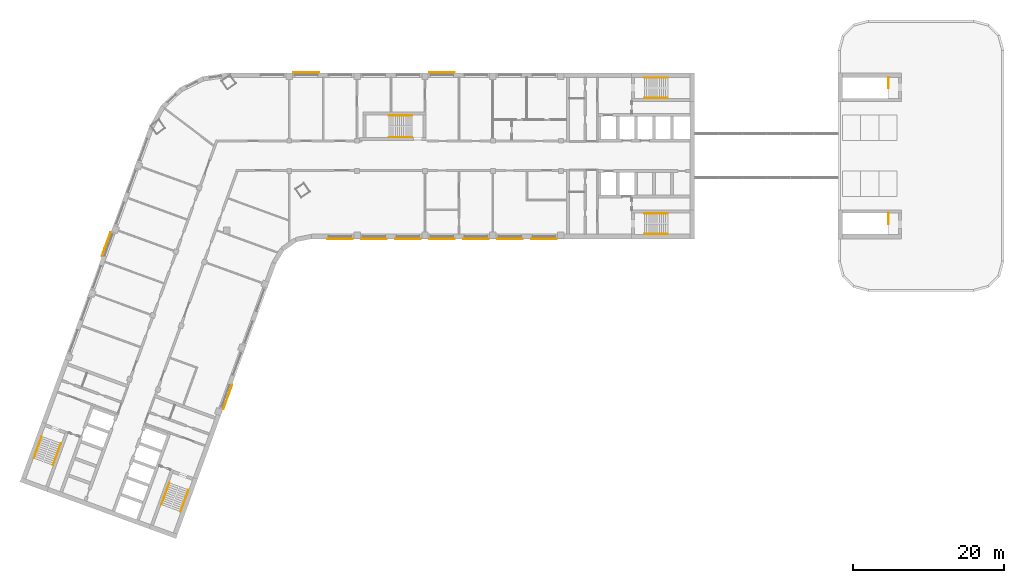
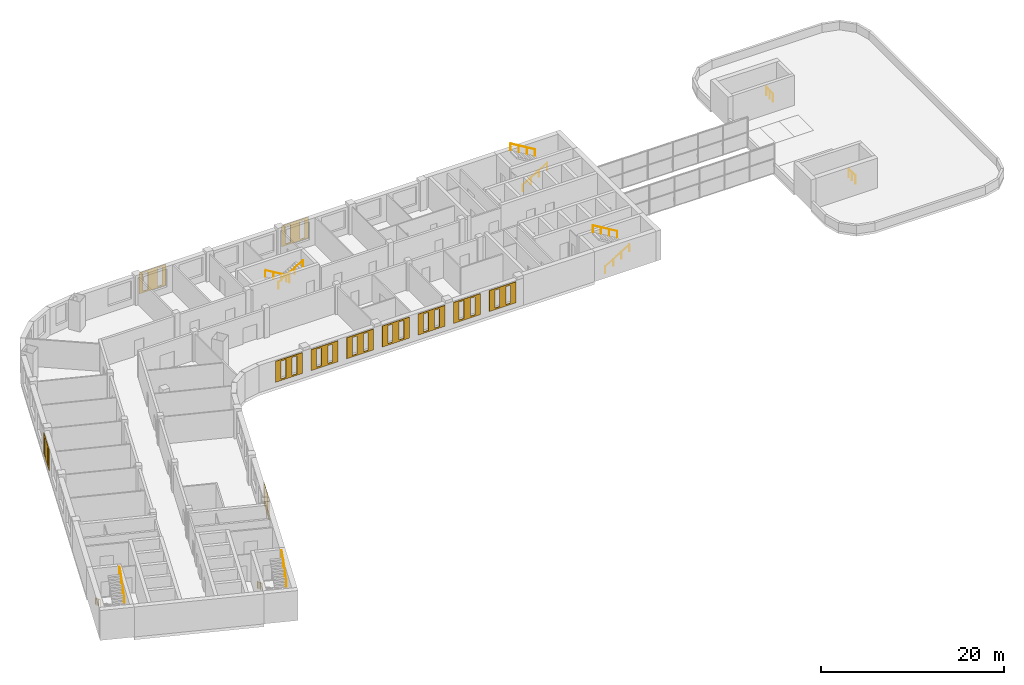
# One storey, part 11 of 11: 12 railings, 11 coverings.
"""IFC4 building model written with IfcOpenShell, lengths in metres."""

from ifc_helpers import new_model, si_unit, direction, frame, origin, origin_2d, place, context, subcontext, project, spatial, polyline, circle, outline, extrude, material, material_profile, profile_set, type_object, element, save


model = new_model("IFC4")

# Units and contexts
model_context = context("Model", 3, precision=1e-05, world=origin(), true_north=direction((0.0, 1.0)))
body_context = subcontext(model_context, "Body", "Model", "MODEL_VIEW")
ifc_project = project(units=[si_unit("LENGTHUNIT", "METRE"), si_unit("AREAUNIT", "SQUARE_METRE"), si_unit("VOLUMEUNIT", "CUBIC_METRE"), si_unit("PLANEANGLEUNIT", "RADIAN"), si_unit("MASSUNIT", "GRAM", prefix="KILO")], contexts=[model_context])

# Site, building, storey
site_placement = place(None, origin())
site = spatial("IfcSite", under=ifc_project, at=site_placement, CompositionType="ELEMENT")
building_placement = place(site_placement, origin())
building = spatial("IfcBuilding", under=site, at=building_placement, Name="Skarvind Civic Tower", CompositionType="ELEMENT")
storey_placement = place(building_placement, frame((0.0, 0.0, 113.0)))
storey = spatial("IfcBuildingStorey", under=building, at=storey_placement, Name="L26", CompositionType="ELEMENT", Elevation=113.0)

# Railings
ifc_material_1 = material(Name="Painted steel balustrade", Category="steel")
railing_type_1 = type_object("IfcRailingType", Name="Stair guard 1100", PredefinedType="GUARDRAIL", material=ifc_material_1)
for number, where, name in (
    (1, (133.699951171875, 120.39990234375, 0.0), "Stair guard"),
    (2, (133.699951171875, 138.39990234375, 0.0), "Stair guard"),
):
    element("IfcRailing", number, at=place(storey_placement, frame(where)), inside=storey, type_object=railing_type_1, Name=name, PredefinedType="GUARDRAIL", context=body_context, shape_type="SweptSolid", body=[
        extrude(circle(Radius=0.02392578125, at=origin_2d()), frame((0.0, 0.0, 1.076171875), z_axis=(0.0, -1.0, 0.0), x_axis=(1.0, 0.0, 0.0)), (0.0, 0.0, 1.0), 1.449951171875),
        extrude(circle(Radius=0.02099609375, at=origin_2d()), origin(), (0.0, 0.0, 1.0), 1.052001953125),
        extrude(circle(Radius=0.02099609375, at=origin_2d()), frame((0.0, -0.72509765625, 0.0)), (0.0, 0.0, 1.0), 1.052001953125),
        extrude(circle(Radius=0.02099609375, at=origin_2d()), frame((0.0, -1.449951171875, 0.0)), (0.0, 0.0, 1.0), 1.052001953125),
    ])
ifc_material_2 = material(Name="Painted steel handrail", Category="steel")
railing_type_2 = type_object("IfcRailingType", Name="Stair handrail 900", PredefinedType="HANDRAIL", material=ifc_material_2)
railing_1_placement = place(storey_placement, frame((101.35009765625, 135.64990234375, 0.166748046875)))
element("IfcRailing", 3, at=railing_1_placement, inside=storey, type_object=railing_type_2, Name="Stair handrail", PredefinedType="HANDRAIL", context=body_context, shape_type="SweptSolid", body=[
    extrude(circle(Radius=0.02392578125, at=origin_2d()), frame((0.0, 0.0, 0.8759765625), z_axis=(0.859290745958, 0.0, 0.51148745235), x_axis=(0.0, 1.0, 0.0)), (0.0, 0.0, 1.0), 3.584228515625),
    extrude(circle(Radius=0.02099609375, at=origin_2d()), origin(), (0.0, 0.0, 1.0), 0.851806640625),
    extrude(circle(Radius=0.02099609375, at=origin_2d()), frame((1.026611328125, 0.0, 0.611083984375)), (0.0, 0.0, 1.0), 0.851806640625),
    extrude(circle(Radius=0.02099609375, at=origin_2d()), frame((2.05322265625, 0.0, 1.22216796875)), (0.0, 0.0, 1.0), 0.851806640625),
    extrude(circle(Radius=0.02099609375, at=origin_2d()), frame((3.079833984375, 0.0, 1.833251953125)), (0.0, 0.0, 1.0), 0.851806640625),
])
railing_2_placement = place(storey_placement, frame((104.429931640625, 138.35009765625, 2.166748046875)))
element("IfcRailing", 4, at=railing_2_placement, inside=storey, type_object=railing_type_2, Name="Stair handrail", PredefinedType="HANDRAIL", context=body_context, shape_type="SweptSolid", body=[
    extrude(circle(Radius=0.02392578125, at=origin_2d()), frame((0.0, 0.0, 0.8759765625), z_axis=(-0.859290745958, 0.0, 0.51148745235), x_axis=(0.0, -1.0, 0.0)), (0.0, 0.0, 1.0), 3.584228515625),
    extrude(circle(Radius=0.02099609375, at=origin_2d()), origin(), (0.0, 0.0, 1.0), 0.851806640625),
    extrude(circle(Radius=0.02099609375, at=origin_2d()), frame((-1.026611328125, 0.0, 0.611083984375)), (0.0, 0.0, 1.0), 0.851806640625),
    extrude(circle(Radius=0.02099609375, at=origin_2d()), frame((-2.05322265625, 0.0, 1.22216796875)), (0.0, 0.0, 1.0), 0.851806640625),
    extrude(circle(Radius=0.02099609375, at=origin_2d()), frame((-3.079833984375, 0.0, 1.833251953125)), (0.0, 0.0, 1.0), 0.851806640625),
])
railing_3_placement = place(storey_placement, frame((101.35009765625, 117.64990234375, 0.166748046875)))
element("IfcRailing", 5, at=railing_3_placement, inside=storey, type_object=railing_type_2, Name="Stair handrail", PredefinedType="HANDRAIL", context=body_context, shape_type="SweptSolid", body=[
    extrude(circle(Radius=0.02392578125, at=origin_2d()), frame((0.0, 0.0, 0.8759765625), z_axis=(0.859290745958, 0.0, 0.51148745235), x_axis=(0.0, 1.0, 0.0)), (0.0, 0.0, 1.0), 3.584228515625),
    extrude(circle(Radius=0.02099609375, at=origin_2d()), origin(), (0.0, 0.0, 1.0), 0.851806640625),
    extrude(circle(Radius=0.02099609375, at=origin_2d()), frame((1.026611328125, 0.0, 0.611083984375)), (0.0, 0.0, 1.0), 0.851806640625),
    extrude(circle(Radius=0.02099609375, at=origin_2d()), frame((2.05322265625, 0.0, 1.22216796875)), (0.0, 0.0, 1.0), 0.851806640625),
    extrude(circle(Radius=0.02099609375, at=origin_2d()), frame((3.079833984375, 0.0, 1.833251953125)), (0.0, 0.0, 1.0), 0.851806640625),
])
railing_4_placement = place(storey_placement, frame((104.429931640625, 120.35009765625, 2.166748046875)))
element("IfcRailing", 6, at=railing_4_placement, inside=storey, type_object=railing_type_2, Name="Stair handrail", PredefinedType="HANDRAIL", context=body_context, shape_type="SweptSolid", body=[
    extrude(circle(Radius=0.02392578125, at=origin_2d()), frame((0.0, 0.0, 0.8759765625), z_axis=(-0.859290745958, 0.0, 0.51148745235), x_axis=(0.0, -1.0, 0.0)), (0.0, 0.0, 1.0), 3.584228515625),
    extrude(circle(Radius=0.02099609375, at=origin_2d()), origin(), (0.0, 0.0, 1.0), 0.851806640625),
    extrude(circle(Radius=0.02099609375, at=origin_2d()), frame((-1.026611328125, 0.0, 0.611083984375)), (0.0, 0.0, 1.0), 0.851806640625),
    extrude(circle(Radius=0.02099609375, at=origin_2d()), frame((-2.05322265625, 0.0, 1.22216796875)), (0.0, 0.0, 1.0), 0.851806640625),
    extrude(circle(Radius=0.02099609375, at=origin_2d()), frame((-3.079833984375, 0.0, 1.833251953125)), (0.0, 0.0, 1.0), 0.851806640625),
])
railing_5_placement = place(storey_placement, frame((38.362060546875, 84.64794921875, 0.166748046875)))
element("IfcRailing", 7, at=railing_5_placement, inside=storey, type_object=railing_type_2, Name="Stair handrail", PredefinedType="HANDRAIL", context=body_context, shape_type="SweptSolid", body=[
    extrude(circle(Radius=0.02392578125, at=origin_2d()), frame((0.0, 0.0, 0.8759765625), z_axis=(-0.293908055923, -0.807480881337, 0.511461319103), x_axis=(0.939689235759, -0.342029443467, 0.0)), (0.0, 0.0, 1.0), 3.584228515625),
    extrude(circle(Radius=0.02099609375, at=origin_2d()), origin(), (0.0, 0.0, 1.0), 0.851806640625),
    extrude(circle(Radius=0.02099609375, at=origin_2d()), frame((-0.35107421875, -0.96484375, 0.611083984375)), (0.0, 0.0, 1.0), 0.851806640625),
    extrude(circle(Radius=0.02099609375, at=origin_2d()), frame((-0.702392578125, -1.929443359375, 1.22216796875)), (0.0, 0.0, 1.0), 0.851806640625),
    extrude(circle(Radius=0.02099609375, at=origin_2d()), frame((-1.053466796875, -2.894287109375, 1.833251953125)), (0.0, 0.0, 1.0), 0.851806640625),
])
railing_6_placement = place(storey_placement, frame((39.845703125, 80.830078125, 2.166748046875)))
element("IfcRailing", 8, at=railing_6_placement, inside=storey, type_object=railing_type_2, Name="Stair handrail", PredefinedType="HANDRAIL", context=body_context, shape_type="SweptSolid", body=[
    extrude(circle(Radius=0.02392578125, at=origin_2d()), frame((0.0, 0.0, 0.8759765625), z_axis=(0.293908055923, 0.807480881337, 0.511461319103), x_axis=(-0.939689235759, 0.342029443467, 0.0)), (0.0, 0.0, 1.0), 3.584228515625),
    extrude(circle(Radius=0.02099609375, at=origin_2d()), origin(), (0.0, 0.0, 1.0), 0.851806640625),
    extrude(circle(Radius=0.02099609375, at=origin_2d()), frame((0.35107421875, 0.96484375, 0.611083984375)), (0.0, 0.0, 1.0), 0.851806640625),
    extrude(circle(Radius=0.02099609375, at=origin_2d()), frame((0.702392578125, 1.929443359375, 1.22216796875)), (0.0, 0.0, 1.0), 0.851806640625),
    extrude(circle(Radius=0.02099609375, at=origin_2d()), frame((1.053466796875, 2.894287109375, 1.833251953125)), (0.0, 0.0, 1.0), 0.851806640625),
])
railing_7_placement = place(storey_placement, frame((21.447509765625, 90.80419921875, 0.166748046875)))
element("IfcRailing", 9, at=railing_7_placement, inside=storey, type_object=railing_type_2, Name="Stair handrail", PredefinedType="HANDRAIL", context=body_context, shape_type="SweptSolid", body=[
    extrude(circle(Radius=0.02392578125, at=origin_2d()), frame((0.0, 0.0, 0.8759765625), z_axis=(-0.293845824691, -0.807497044902, 0.511471557163), x_axis=(0.939714709796, -0.34195944817, 0.0)), (0.0, 0.0, 1.0), 3.584228515625),
    extrude(circle(Radius=0.02099609375, at=origin_2d()), origin(), (0.0, 0.0, 1.0), 0.851806640625),
    extrude(circle(Radius=0.02099609375, at=origin_2d()), frame((-0.35107421875, -0.96484375, 0.611083984375)), (0.0, 0.0, 1.0), 0.851806640625),
    extrude(circle(Radius=0.02099609375, at=origin_2d()), frame((-0.7021484375, -1.929443359375, 1.22216796875)), (0.0, 0.0, 1.0), 0.851806640625),
    extrude(circle(Radius=0.02099609375, at=origin_2d()), frame((-1.05322265625, -2.894287109375, 1.833251953125)), (0.0, 0.0, 1.0), 0.851806640625),
])
railing_8_placement = place(storey_placement, frame((22.931396484375, 86.986572265625, 2.166748046875)))
element("IfcRailing", 10, at=railing_8_placement, inside=storey, type_object=railing_type_2, Name="Stair handrail", PredefinedType="HANDRAIL", context=body_context, shape_type="SweptSolid", body=[
    extrude(circle(Radius=0.02392578125, at=origin_2d()), frame((0.0, 0.0, 0.8759765625), z_axis=(0.293908055923, 0.807480881337, 0.511461319103), x_axis=(-0.939689235759, 0.342029443467, 0.0)), (0.0, 0.0, 1.0), 3.584228515625),
    extrude(circle(Radius=0.02099609375, at=origin_2d()), origin(), (0.0, 0.0, 1.0), 0.851806640625),
    extrude(circle(Radius=0.02099609375, at=origin_2d()), frame((0.35107421875, 0.96484375, 0.611083984375)), (0.0, 0.0, 1.0), 0.851806640625),
    extrude(circle(Radius=0.02099609375, at=origin_2d()), frame((0.702392578125, 1.929443359375, 1.22216796875)), (0.0, 0.0, 1.0), 0.851806640625),
    extrude(circle(Radius=0.02099609375, at=origin_2d()), frame((1.053466796875, 2.894287109375, 1.833251953125)), (0.0, 0.0, 1.0), 0.851806640625),
])
railing_9_placement = place(storey_placement, frame((70.550048828125, 133.35009765625, 0.166748046875)))
element("IfcRailing", 11, at=railing_9_placement, inside=storey, type_object=railing_type_2, Name="Stair handrail", PredefinedType="HANDRAIL", context=body_context, shape_type="SweptSolid", body=[
    extrude(circle(Radius=0.02392578125, at=origin_2d()), frame((0.0, 0.0, 0.8759765625), z_axis=(-0.859308565015, 0.0, 0.511457515432), x_axis=(0.0, -1.0, 0.0)), (0.0, 0.0, 1.0), 3.58447265625),
    extrude(circle(Radius=0.02099609375, at=origin_2d()), origin(), (0.0, 0.0, 1.0), 0.851806640625),
    extrude(circle(Radius=0.02099609375, at=origin_2d()), frame((-1.026611328125, 0.0, 0.611083984375)), (0.0, 0.0, 1.0), 0.851806640625),
    extrude(circle(Radius=0.02099609375, at=origin_2d()), frame((-2.053466796875, 0.0, 1.22216796875)), (0.0, 0.0, 1.0), 0.851806640625),
    extrude(circle(Radius=0.02099609375, at=origin_2d()), frame((-3.080078125, 0.0, 1.833251953125)), (0.0, 0.0, 1.0), 0.851806640625),
])
railing_10_placement = place(storey_placement, frame((67.469970703125, 130.449951171875, 2.166748046875)))
element("IfcRailing", 12, at=railing_10_placement, inside=storey, type_object=railing_type_2, Name="Stair handrail", PredefinedType="HANDRAIL", context=body_context, shape_type="SweptSolid", body=[
    extrude(circle(Radius=0.02392578125, at=origin_2d()), frame((0.0, 0.0, 0.8759765625), z_axis=(0.859308565015, 0.0, 0.511457515432), x_axis=(0.0, 1.0, 0.0)), (0.0, 0.0, 1.0), 3.58447265625),
    extrude(circle(Radius=0.02099609375, at=origin_2d()), origin(), (0.0, 0.0, 1.0), 0.851806640625),
    extrude(circle(Radius=0.02099609375, at=origin_2d()), frame((1.026611328125, 0.0, 0.611083984375)), (0.0, 0.0, 1.0), 0.851806640625),
    extrude(circle(Radius=0.02099609375, at=origin_2d()), frame((2.053466796875, 0.0, 1.22216796875)), (0.0, 0.0, 1.0), 0.851806640625),
    extrude(circle(Radius=0.02099609375, at=origin_2d()), frame((3.080078125, 0.0, 1.833251953125)), (0.0, 0.0, 1.0), 0.851806640625),
])

# Coverings
ifc_material_3 = material(Name="Terracotta", Category="masonry")
ifc_material_profile_1 = material_profile(ifc_material_3, outline(polyline([(-1.699951171875, -1.39990234375), (1.699951171875, -1.39990234375), (1.699951171875, 1.39990234375), (-1.699951171875, 1.39990234375), (-1.699951171875, -1.39990234375)]), holes=[polyline([(-1.0, -1.18994140625), (-0.39990234375, -1.18994140625), (-0.39990234375, 1.18994140625), (-1.0, 1.18994140625), (-1.0, -1.18994140625)]), polyline([(0.39990234375, -1.18994140625), (1.0, -1.18994140625), (1.0, 1.18994140625), (0.39990234375, 1.18994140625), (0.39990234375, -1.18994140625)])]), Name="TERRACOTTA SCREEN 3400 x 2800, SLIT PITCH 1400")
ifc_profile_set_1 = profile_set([ifc_material_profile_1], Name="Terracotta")
covering_type_1 = type_object("IfcCoveringType", Name="TERRACOTTA SCREEN 3400 x 2800, SLIT PITCH 1400", PredefinedType="CLADDING", material=ifc_profile_set_1)
for number, where, z_axis, x_axis, name in (
    (13, (88.0, 117.0, 2.10009765625), (0.0, -1.0, 0.0), (1.0, 0.0, 0.0), "TERRACOTTA SCREEN"),
    (14, (83.5, 117.0, 2.10009765625), (0.0, -1.0, 0.0), (1.0, 0.0, 0.0), "TERRACOTTA SCREEN"),
    (15, (79.0, 117.0, 2.10009765625), (0.0, -1.0, 0.0), (1.0, 0.0, 0.0), "TERRACOTTA SCREEN"),
    (16, (74.5, 117.0, 2.10009765625), (0.0, -1.0, 0.0), (1.0, 0.0, 0.0), "TERRACOTTA SCREEN"),
    (17, (70.0, 117.0, 2.10009765625), (0.0, -1.0, 0.0), (1.0, 0.0, 0.0), "TERRACOTTA SCREEN"),
    (18, (65.5, 117.0, 2.10009765625), (0.0, -1.0, 0.0), (1.0, 0.0, 0.0), "TERRACOTTA SCREEN"),
    (19, (61.0, 117.0, 2.10009765625), (0.0, -1.0, 0.0), (1.0, 0.0, 0.0), "TERRACOTTA SCREEN"),
):
    element("IfcCovering", number, at=place(storey_placement, frame(where, z_axis=z_axis, x_axis=x_axis)), inside=storey, type_object=covering_type_1, Name=name, PredefinedType="CLADDING", context=body_context, shape_type="SweptSolid", body=[
        extrude(outline(polyline([(-1.699951171875, -1.39990234375), (1.699951171875, -1.39990234375), (1.699951171875, 1.39990234375), (-1.699951171875, 1.39990234375), (-1.699951171875, -1.39990234375)]), holes=[polyline([(-1.0, -1.18994140625), (-0.39990234375, -1.18994140625), (-0.39990234375, 1.18994140625), (-1.0, 1.18994140625), (-1.0, -1.18994140625)]), polyline([(0.39990234375, -1.18994140625), (1.0, -1.18994140625), (1.0, 1.18994140625), (0.39990234375, 1.18994140625), (0.39990234375, -1.18994140625)])]), origin(), (0.0, 0.0, 1.0), 0.06005859375),
    ])
ifc_material_profile_2 = material_profile(ifc_material_3, outline(polyline([(-1.699951171875, -1.39990234375), (1.699951171875, -1.39990234375), (1.699951171875, 1.39990234375), (-1.699951171875, 1.39990234375), (-1.699951171875, -1.39990234375)]), holes=[polyline([(-1.199951171875, -1.18994140625), (-0.60009765625, -1.18994140625), (-0.60009765625, 1.18994140625), (-1.199951171875, 1.18994140625), (-1.199951171875, -1.18994140625)]), polyline([(0.60009765625, -1.18994140625), (1.199951171875, -1.18994140625), (1.199951171875, 1.18994140625), (0.60009765625, 1.18994140625), (0.60009765625, -1.18994140625)])]), Name="TERRACOTTA SCREEN 3400 x 2800, SLIT PITCH 1800")
ifc_profile_set_2 = profile_set([ifc_material_profile_2], Name="Terracotta")
covering_type_2 = type_object("IfcCoveringType", Name="TERRACOTTA SCREEN 3400 x 2800, SLIT PITCH 1800", PredefinedType="CLADDING", material=ifc_profile_set_2)
for number, where, z_axis, x_axis, name in (
    (20, (46.075927734375, 96.047119140625, 2.10009765625), (0.939793423488, -0.341743063087, 0.0), (0.341743063087, 0.939793423488, 0.0), "TERRACOTTA SCREEN"),
    (21, (56.5, 139.0, 2.10009765625), (0.0, 1.0, 0.0), (-1.0, 0.0, 0.0), "TERRACOTTA SCREEN"),
    (22, (74.5, 139.0, 2.10009765625), (0.0, 1.0, 0.0), (-1.0, 0.0, 0.0), "TERRACOTTA SCREEN"),
    (23, (30.02001953125, 116.25732421875, 2.10009765625), (-0.939793423488, 0.341743063087, 0.0), (-0.341743063087, -0.939793423488, 0.0), "TERRACOTTA SCREEN"),
):
    element("IfcCovering", number, at=place(storey_placement, frame(where, z_axis=z_axis, x_axis=x_axis)), inside=storey, type_object=covering_type_2, Name=name, PredefinedType="CLADDING", context=body_context, shape_type="SweptSolid", body=[
        extrude(outline(polyline([(-1.699951171875, -1.39990234375), (1.699951171875, -1.39990234375), (1.699951171875, 1.39990234375), (-1.699951171875, 1.39990234375), (-1.699951171875, -1.39990234375)]), holes=[polyline([(-1.199951171875, -1.18994140625), (-0.60009765625, -1.18994140625), (-0.60009765625, 1.18994140625), (-1.199951171875, 1.18994140625), (-1.199951171875, -1.18994140625)]), polyline([(0.60009765625, -1.18994140625), (1.199951171875, -1.18994140625), (1.199951171875, 1.18994140625), (0.60009765625, 1.18994140625), (0.60009765625, -1.18994140625)])]), origin(), (0.0, 0.0, 1.0), 0.06005859375),
    ])

save(model, "model.ifc")
